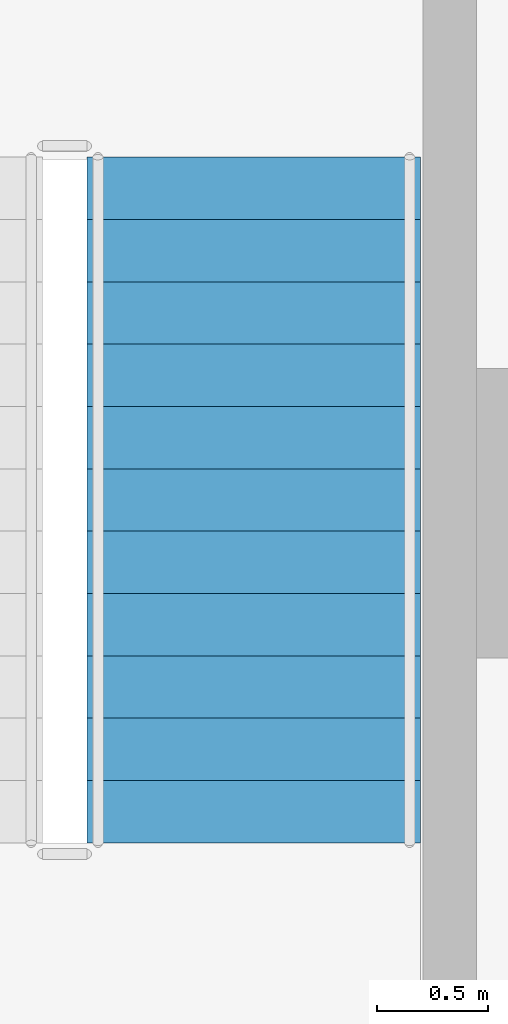
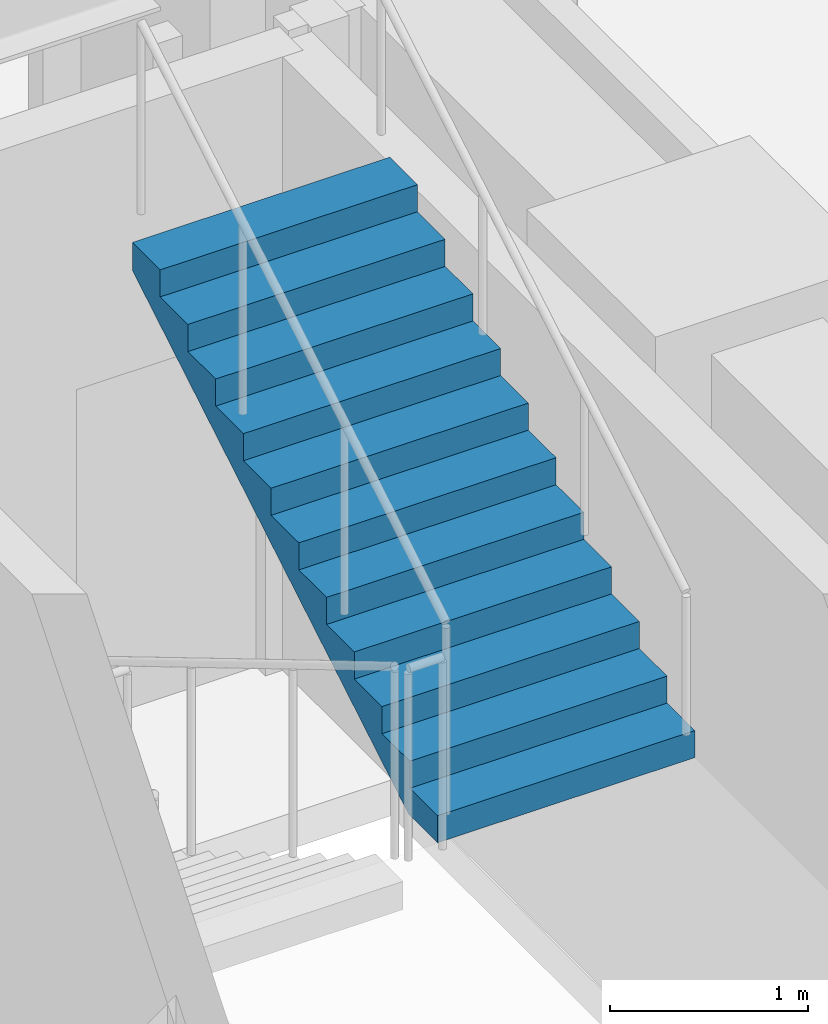
# One storey, part 12 of 15: 1 stair flight, 1 element without a shape of its own.
"""IFC4 building model written with IfcOpenShell, lengths in metres."""

from ifc_helpers import new_model, si_unit, direction, frame, origin, place, context, subcontext, project, spatial, polyline, outline, extrude, material, type_object, element, aggregate, save


model = new_model("IFC4")

# Units and contexts
model_context = context("Model", 3, precision=1e-05, world=origin(), true_north=direction((0.0, 1.0)))
body_context = subcontext(model_context, "Body", "Model", "MODEL_VIEW")
ifc_project = project(units=[si_unit("LENGTHUNIT", "METRE"), si_unit("AREAUNIT", "SQUARE_METRE"), si_unit("VOLUMEUNIT", "CUBIC_METRE"), si_unit("PLANEANGLEUNIT", "RADIAN"), si_unit("MASSUNIT", "GRAM", prefix="KILO")], contexts=[model_context])

# Site, building, storey
site_placement = place(None, origin())
site = spatial("IfcSite", under=ifc_project, at=site_placement, CompositionType="ELEMENT")
building_placement = place(site_placement, origin())
building = spatial("IfcBuilding", under=site, at=building_placement, Name="Gaonmaruhae Medical Tower", CompositionType="ELEMENT")
storey_placement = place(building_placement, frame((0.0, 0.0, 112.39990234375)))
storey = spatial("IfcBuildingStorey", under=building, at=storey_placement, Name="L26", CompositionType="ELEMENT", Elevation=112.39990234375)

# Stair, stair flight
ifc_material = material(Name="Concrete C40/50", Category="concrete")
stair_type = type_object("IfcStairType", Name="ST-T1 Primary Core Escape Dogleg Stair", PredefinedType="TWO_QUARTER_TURN_STAIR", material=ifc_material)
stair_placement = place(storey_placement, origin())
stair = element("IfcStair", 1, at=stair_placement, inside=storey, type_object=stair_type, Name="L26 Protected Escape Stair ST-02", PredefinedType="TWO_QUARTER_TURN_STAIR")
stair_flight_type = type_object("IfcStairFlightType", Name="SF-T1 Primary Core Precast Stair Flight", PredefinedType="STRAIGHT", material=ifc_material)
stair_flight_placement = place(storey_placement, frame((33.949951171875, 10.820068359375, 2.0), z_axis=(0.0, 0.0, 1.0), x_axis=(0.0, 1.0, 0.0)))
stair_flight = element("IfcStairFlight", 2, at=stair_flight_placement, type_object=stair_flight_type, Name="ST-02 flight 2", NumberOfRisers=12, NumberOfTreads=11, PredefinedType="STRAIGHT", RiserHeight=0.166666667, TreadLength=0.28, context=body_context, shape_type="SweptSolid", body=[
    extrude(outline(polyline([(0.0, 0.0), (0.0, 0.166748046875), (0.280029296875, 0.166748046875), (0.280029296875, 0.333251953125), (0.56005859375, 0.333251953125), (0.56005859375, 0.5), (0.840087890625, 0.5), (0.840087890625, 0.666748046875), (1.1201171875, 0.666748046875), (1.1201171875, 0.833251953125), (1.39990234375, 0.833251953125), (1.39990234375, 1.0), (1.679931640625, 1.0), (1.679931640625, 1.166748046875), (1.9599609375, 1.166748046875), (1.9599609375, 1.333251953125), (2.239990234375, 1.333251953125), (2.239990234375, 1.5), (2.52001953125, 1.5), (2.52001953125, 1.666748046875), (2.800048828125, 1.666748046875), (2.800048828125, 1.833251953125), (3.080078125, 1.833251953125), (3.080078125, 2.0), (3.080078125, 1.658935546875), (0.29296875, 0.0), (0.0, 0.0)])), frame((0.0, 0.75, 0.0), z_axis=(0.0, -1.0, 0.0), x_axis=(1.0, 0.0, 0.0)), (0.0, 0.0, 1.0), 1.5),
])
aggregate(stair, [stair_flight])

save(model, "model.ifc")
